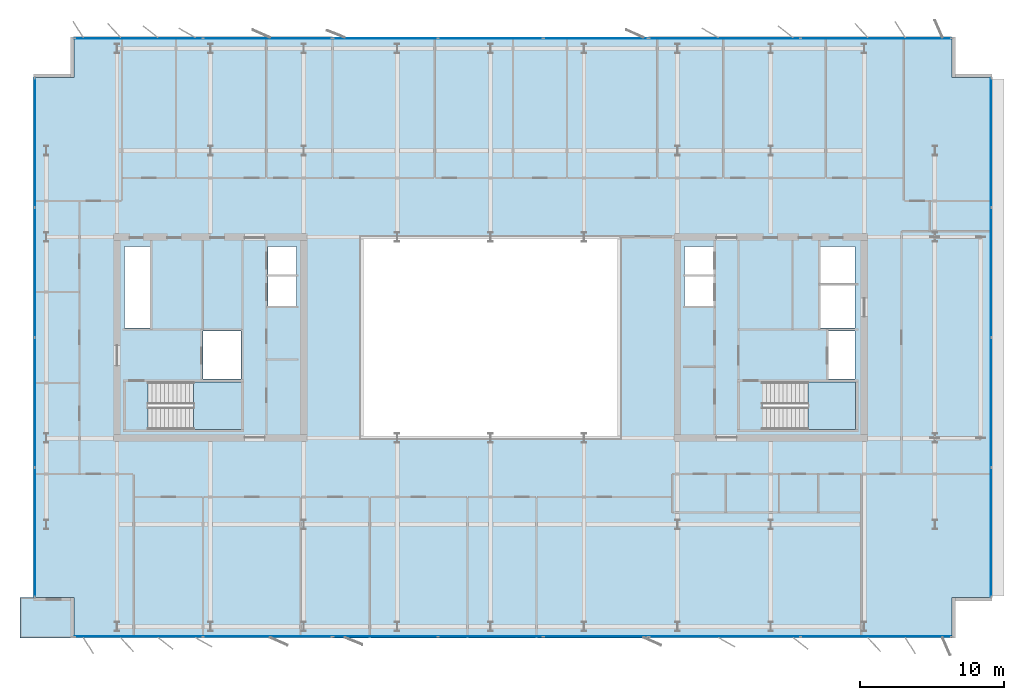
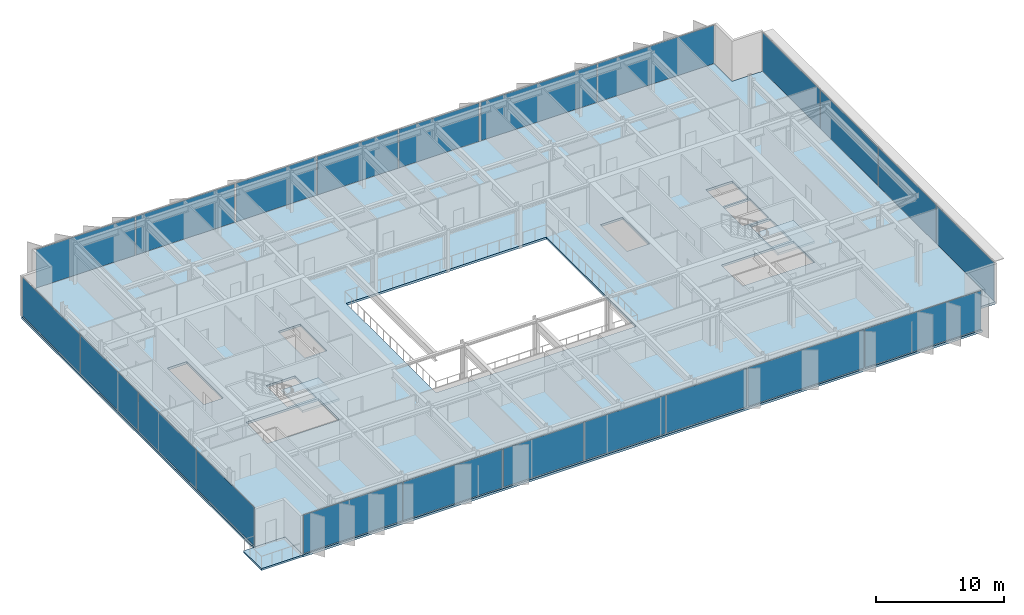
# One storey, part 11 of 20: 22 plates, 4 slabs, 10 elements without a shape of their own.
"""IFC4 building model written with IfcOpenShell, lengths in metres."""

from ifc_helpers import new_model, si_unit, direction, frame, origin, origin_2d, place, context, subcontext, project, spatial, polyline, rectangle, outline, extrude, material, layer, layer_set, type_object, element, aggregate, save


model = new_model("IFC4")

# Units and contexts
model_context = context("Model", 3, precision=1e-05, world=origin(), true_north=direction((0.0, 1.0)))
body_context = subcontext(model_context, "Body", "Model", "MODEL_VIEW")
ifc_project = project(units=[si_unit("LENGTHUNIT", "METRE"), si_unit("AREAUNIT", "SQUARE_METRE"), si_unit("VOLUMEUNIT", "CUBIC_METRE"), si_unit("PLANEANGLEUNIT", "RADIAN"), si_unit("MASSUNIT", "GRAM", prefix="KILO")], contexts=[model_context])

# Site, building, storey
site_placement = place(None, origin())
site = spatial("IfcSite", under=ifc_project, at=site_placement, CompositionType="ELEMENT")
building_placement = place(site_placement, origin())
building = spatial("IfcBuilding", under=site, at=building_placement, Name="Putna Gate Headquarters", CompositionType="ELEMENT")
storey_placement = place(building_placement, frame((0.0, 0.0, 298.39990234375)))
storey = spatial("IfcBuildingStorey", under=building, at=storey_placement, Name="L75", CompositionType="ELEMENT", Elevation=298.39990234375)

# Stair, slab
ifc_material_1 = material(Name="Concrete C40/50", Category="concrete")
stair_type_1 = type_object("IfcStairType", Name="STAIR-ST1", PredefinedType="HALF_TURN_STAIR", material=ifc_material_1)
stair_1_placement = place(storey_placement, origin())
stair_1 = element("IfcStair", 1, at=stair_1_placement, inside=storey, type_object=stair_type_1, Name="L75 West Core Exit Stair ST1", PredefinedType="HALF_TURN_STAIR")
ifc_layer_1 = layer(ifc_material_1, 0.199951171875)
ifc_layer_set_1 = layer_set([ifc_layer_1], Name="Concrete C40/50")
slab_type_1 = type_object("IfcSlabType", Name="LANDING-ST1", PredefinedType="LANDING", material=ifc_layer_set_1)
slab_1_placement = place(storey_placement, frame((0.0, 0.0, 1.800048828125)))
slab_1 = element("IfcSlab", 2, at=slab_1_placement, type_object=slab_type_1, Name="ST1 landing 1", PredefinedType="LANDING", context=body_context, shape_type="SweptSolid", body=[
    extrude(outline(polyline([(18.340087890625, 19.60009765625), (21.64990234375, 19.60009765625), (21.64990234375, 22.89990234375), (18.340087890625, 22.89990234375), (18.340087890625, 19.60009765625)])), origin(), (0.0, 0.0, 1.0), 0.199951171875),
])
aggregate(stair_1, [slab_1])

stair_type_2 = type_object("IfcStairType", Name="STAIR-ST2", PredefinedType="HALF_TURN_STAIR", material=ifc_material_1)
stair_2_placement = place(storey_placement, origin())
stair_2 = element("IfcStair", 3, at=stair_2_placement, inside=storey, type_object=stair_type_2, Name="L75 East Core Exit Stair ST2", PredefinedType="HALF_TURN_STAIR")
ifc_layer_2 = layer(ifc_material_1, 0.199951171875)
ifc_layer_set_2 = layer_set([ifc_layer_2], Name="Concrete C40/50")
slab_type_2 = type_object("IfcSlabType", Name="LANDING-ST2", PredefinedType="LANDING", material=ifc_layer_set_2)
slab_2_placement = place(storey_placement, frame((0.0, 0.0, 1.800048828125)))
slab_2 = element("IfcSlab", 4, at=slab_2_placement, type_object=slab_type_2, Name="ST2 landing 1", PredefinedType="LANDING", context=body_context, shape_type="SweptSolid", body=[
    extrude(outline(polyline([(61.090087890625, 19.60009765625), (64.39990234375, 19.60009765625), (64.39990234375, 22.89990234375), (61.090087890625, 22.89990234375), (61.090087890625, 19.60009765625)])), origin(), (0.0, 0.0, 1.0), 0.199951171875),
])
aggregate(stair_2, [slab_2])

# Curtain wall, plates
ifc_material_2 = material(Name="Anodised bronze aluminium curtain wall", Category="aluminium")
ifc_layer_3 = layer(ifc_material_2, 0.179931640625)
ifc_layer_set_3 = layer_set([ifc_layer_3], Name="Anodised bronze aluminium curtain wall")
curtain_wall_type_1 = type_object("IfcCurtainWallType", Name="CW-SYS-Z5", PredefinedType="USERDEFINED", material=ifc_layer_set_3)
curtain_wall_1_placement = place(storey_placement, origin())
curtain_wall_1 = element("IfcCurtainWall", 5, at=curtain_wall_1_placement, inside=storey, type_object=curtain_wall_type_1, Name="L75 South West Curtain Wall", ObjectType="STICK CURTAIN WALL", PredefinedType="USERDEFINED")
ifc_material_3 = material(Name="Solar-control triple low-E glass", Category="glass")
ifc_layer_4 = layer(ifc_material_3, 0.033935546875)
ifc_layer_set_4 = layer_set([ifc_layer_4], Name="Solar-control triple low-E glass")
plate_type_1 = type_object("IfcPlateType", Name="PAN-CWP-5", PredefinedType="CURTAIN_PANEL", material=ifc_layer_set_4)
plate_1_placement = place(storey_placement, frame((14.517578125, 5.179931640625, 0.06005859375), z_axis=(0.0, 0.0, 1.0), x_axis=(1.0, 0.0, 0.0)))
plate_1 = element("IfcPlate", 6, at=plate_1_placement, type_object=plate_type_1, Name="CWS-5 panel 1.1", PredefinedType="CURTAIN_PANEL", context=body_context, shape_type="SweptSolid", body=[
    extrude(rectangle(XDim=8.89501953125, YDim=0.033935546875, at=origin_2d()), origin(), (0.0, 0.0, 1.0), 3.66796875),
])
plate_2_placement = place(storey_placement, frame((23.482421875, 5.179931640625, 0.06005859375), z_axis=(0.0, 0.0, 1.0), x_axis=(1.0, 0.0, 0.0)))
plate_2 = element("IfcPlate", 7, at=plate_2_placement, type_object=plate_type_1, Name="CWS-5 panel 2.1", PredefinedType="CURTAIN_PANEL", context=body_context, shape_type="SweptSolid", body=[
    extrude(rectangle(XDim=8.89501953125, YDim=0.033935546875, at=origin_2d()), origin(), (0.0, 0.0, 1.0), 3.66796875),
])
aggregate(curtain_wall_1, [plate_1, plate_2])

curtain_wall_2_placement = place(storey_placement, origin())
curtain_wall_2 = element("IfcCurtainWall", 8, at=curtain_wall_2_placement, inside=storey, type_object=curtain_wall_type_1, Name="L75 South East Curtain Wall", ObjectType="STICK CURTAIN WALL", PredefinedType="USERDEFINED")
plate_3_placement = place(storey_placement, frame((55.295166015625, 5.179931640625, 0.06005859375), z_axis=(0.0, 0.0, 1.0), x_axis=(1.0, 0.0, 0.0)))
plate_3 = element("IfcPlate", 9, at=plate_3_placement, type_object=plate_type_1, Name="CWS-5 panel 1.1", PredefinedType="CURTAIN_PANEL", context=body_context, shape_type="SweptSolid", body=[
    extrude(rectangle(XDim=10.450439453125, YDim=0.033935546875, at=origin_2d()), origin(), (0.0, 0.0, 1.0), 3.66796875),
])
plate_4_placement = place(storey_placement, frame((65.815673828125, 5.179931640625, 0.06005859375), z_axis=(0.0, 0.0, 1.0), x_axis=(1.0, 0.0, 0.0)))
plate_4 = element("IfcPlate", 10, at=plate_4_placement, type_object=plate_type_1, Name="CWS-5 panel 2.1", PredefinedType="CURTAIN_PANEL", context=body_context, shape_type="SweptSolid", body=[
    extrude(rectangle(XDim=10.450439453125, YDim=0.033935546875, at=origin_2d()), origin(), (0.0, 0.0, 1.0), 3.66796875),
])
aggregate(curtain_wall_2, [plate_3, plate_4])

curtain_wall_3_placement = place(storey_placement, origin())
curtain_wall_3 = element("IfcCurtainWall", 11, at=curtain_wall_3_placement, inside=storey, type_object=curtain_wall_type_1, Name="L75 North West Curtain Wall", ObjectType="STICK CURTAIN WALL", PredefinedType="USERDEFINED")
plate_5_placement = place(storey_placement, frame((14.517578125, 46.820068359375, 0.06005859375), z_axis=(0.0, 0.0, 1.0), x_axis=(1.0, 0.0, 0.0)))
plate_5 = element("IfcPlate", 12, at=plate_5_placement, type_object=plate_type_1, Name="CWS-5 panel 1.1", PredefinedType="CURTAIN_PANEL", context=body_context, shape_type="SweptSolid", body=[
    extrude(rectangle(XDim=8.89501953125, YDim=0.033935546875, at=origin_2d()), origin(), (0.0, 0.0, 1.0), 3.66796875),
])
plate_6_placement = place(storey_placement, frame((23.482421875, 46.820068359375, 0.06005859375), z_axis=(0.0, 0.0, 1.0), x_axis=(1.0, 0.0, 0.0)))
plate_6 = element("IfcPlate", 13, at=plate_6_placement, type_object=plate_type_1, Name="CWS-5 panel 2.1", PredefinedType="CURTAIN_PANEL", context=body_context, shape_type="SweptSolid", body=[
    extrude(rectangle(XDim=8.89501953125, YDim=0.033935546875, at=origin_2d()), origin(), (0.0, 0.0, 1.0), 3.66796875),
])
aggregate(curtain_wall_3, [plate_5, plate_6])

curtain_wall_4_placement = place(storey_placement, origin())
curtain_wall_4 = element("IfcCurtainWall", 14, at=curtain_wall_4_placement, inside=storey, type_object=curtain_wall_type_1, Name="L75 North East Curtain Wall", ObjectType="STICK CURTAIN WALL", PredefinedType="USERDEFINED")
plate_7_placement = place(storey_placement, frame((55.295166015625, 46.820068359375, 0.06005859375), z_axis=(0.0, 0.0, 1.0), x_axis=(1.0, 0.0, 0.0)))
plate_7 = element("IfcPlate", 15, at=plate_7_placement, type_object=plate_type_1, Name="CWS-5 panel 1.1", PredefinedType="CURTAIN_PANEL", context=body_context, shape_type="SweptSolid", body=[
    extrude(rectangle(XDim=10.450439453125, YDim=0.033935546875, at=origin_2d()), origin(), (0.0, 0.0, 1.0), 3.66796875),
])
plate_8_placement = place(storey_placement, frame((65.815673828125, 46.820068359375, 0.06005859375), z_axis=(0.0, 0.0, 1.0), x_axis=(1.0, 0.0, 0.0)))
plate_8 = element("IfcPlate", 16, at=plate_8_placement, type_object=plate_type_1, Name="CWS-5 panel 2.1", PredefinedType="CURTAIN_PANEL", context=body_context, shape_type="SweptSolid", body=[
    extrude(rectangle(XDim=10.450439453125, YDim=0.033935546875, at=origin_2d()), origin(), (0.0, 0.0, 1.0), 3.66796875),
])
aggregate(curtain_wall_4, [plate_7, plate_8])

curtain_wall_5_placement = place(storey_placement, origin())
curtain_wall_5 = element("IfcCurtainWall", 17, at=curtain_wall_5_placement, inside=storey, type_object=curtain_wall_type_1, Name="L75 West Curtain Wall", ObjectType="STICK CURTAIN WALL", PredefinedType="USERDEFINED")
plate_9_placement = place(storey_placement, frame((7.280029296875, 12.4423828125, 0.06005859375), z_axis=(0.0, 0.0, 1.0), x_axis=(0.0, 1.0, 0.0)))
plate_9 = element("IfcPlate", 18, at=plate_9_placement, type_object=plate_type_1, Name="CWS-5 panel 1.1", PredefinedType="CURTAIN_PANEL", context=body_context, shape_type="SweptSolid", body=[
    extrude(rectangle(XDim=8.945068359375, YDim=0.033935546875, at=origin_2d()), origin(), (0.0, 0.0, 1.0), 3.66796875),
])
plate_10_placement = place(storey_placement, frame((7.280029296875, 21.47509765625, 0.06005859375), z_axis=(0.0, 0.0, 1.0), x_axis=(0.0, 1.0, 0.0)))
plate_10 = element("IfcPlate", 19, at=plate_10_placement, type_object=plate_type_1, Name="CWS-5 panel 2.1", PredefinedType="CURTAIN_PANEL", context=body_context, shape_type="SweptSolid", body=[
    extrude(rectangle(XDim=8.97998046875, YDim=0.033935546875, at=origin_2d()), origin(), (0.0, 0.0, 1.0), 3.66796875),
])
plate_11_placement = place(storey_placement, frame((7.280029296875, 30.52490234375, 0.06005859375), z_axis=(0.0, 0.0, 1.0), x_axis=(0.0, 1.0, 0.0)))
plate_11 = element("IfcPlate", 20, at=plate_11_placement, type_object=plate_type_1, Name="CWS-5 panel 3.1", PredefinedType="CURTAIN_PANEL", context=body_context, shape_type="SweptSolid", body=[
    extrude(rectangle(XDim=8.97998046875, YDim=0.033935546875, at=origin_2d()), origin(), (0.0, 0.0, 1.0), 3.66796875),
])
plate_12_placement = place(storey_placement, frame((7.280029296875, 39.5576171875, 0.06005859375), z_axis=(0.0, 0.0, 1.0), x_axis=(0.0, 1.0, 0.0)))
plate_12 = element("IfcPlate", 21, at=plate_12_placement, type_object=plate_type_1, Name="CWS-5 panel 4.1", PredefinedType="CURTAIN_PANEL", context=body_context, shape_type="SweptSolid", body=[
    extrude(rectangle(XDim=8.945068359375, YDim=0.033935546875, at=origin_2d()), origin(), (0.0, 0.0, 1.0), 3.66796875),
])
aggregate(curtain_wall_5, [plate_9, plate_10, plate_11, plate_12])

curtain_wall_6_placement = place(storey_placement, origin())
curtain_wall_6 = element("IfcCurtainWall", 22, at=curtain_wall_6_placement, inside=storey, type_object=curtain_wall_type_1, Name="L75 East Curtain Wall", ObjectType="STICK CURTAIN WALL", PredefinedType="USERDEFINED")
plate_13_placement = place(storey_placement, frame((73.8310546875, 12.4423828125, 0.06005859375), z_axis=(0.0, 0.0, 1.0), x_axis=(0.0, 1.0, 0.0)))
plate_13 = element("IfcPlate", 23, at=plate_13_placement, type_object=plate_type_1, Name="CWS-5 panel 1.1", PredefinedType="CURTAIN_PANEL", context=body_context, shape_type="SweptSolid", body=[
    extrude(rectangle(XDim=8.945068359375, YDim=0.033935546875, at=origin_2d()), origin(), (0.0, 0.0, 1.0), 3.66796875),
])
plate_14_placement = place(storey_placement, frame((73.8310546875, 21.47509765625, 0.06005859375), z_axis=(0.0, 0.0, 1.0), x_axis=(0.0, 1.0, 0.0)))
plate_14 = element("IfcPlate", 24, at=plate_14_placement, type_object=plate_type_1, Name="CWS-5 panel 2.1", PredefinedType="CURTAIN_PANEL", context=body_context, shape_type="SweptSolid", body=[
    extrude(rectangle(XDim=8.97998046875, YDim=0.033935546875, at=origin_2d()), origin(), (0.0, 0.0, 1.0), 3.66796875),
])
plate_15_placement = place(storey_placement, frame((73.8310546875, 30.52490234375, 0.06005859375), z_axis=(0.0, 0.0, 1.0), x_axis=(0.0, 1.0, 0.0)))
plate_15 = element("IfcPlate", 25, at=plate_15_placement, type_object=plate_type_1, Name="CWS-5 panel 3.1", PredefinedType="CURTAIN_PANEL", context=body_context, shape_type="SweptSolid", body=[
    extrude(rectangle(XDim=8.97998046875, YDim=0.033935546875, at=origin_2d()), origin(), (0.0, 0.0, 1.0), 3.66796875),
])
plate_16_placement = place(storey_placement, frame((73.8310546875, 39.5576171875, 0.06005859375), z_axis=(0.0, 0.0, 1.0), x_axis=(0.0, 1.0, 0.0)))
plate_16 = element("IfcPlate", 26, at=plate_16_placement, type_object=plate_type_1, Name="CWS-5 panel 4.1", PredefinedType="CURTAIN_PANEL", context=body_context, shape_type="SweptSolid", body=[
    extrude(rectangle(XDim=8.945068359375, YDim=0.033935546875, at=origin_2d()), origin(), (0.0, 0.0, 1.0), 3.66796875),
])
aggregate(curtain_wall_6, [plate_13, plate_14, plate_15, plate_16])

ifc_layer_5 = layer(ifc_material_2, 0.179931640625)
ifc_layer_set_5 = layer_set([ifc_layer_5], Name="Anodised bronze aluminium curtain wall")
curtain_wall_type_2 = type_object("IfcCurtainWallType", Name="CW-SYS-ATR", PredefinedType="USERDEFINED", material=ifc_layer_set_5)
curtain_wall_7_placement = place(storey_placement, origin())
curtain_wall_7 = element("IfcCurtainWall", 27, at=curtain_wall_7_placement, inside=storey, type_object=curtain_wall_type_2, Name="L75 South Atrium Clear Glazing", ObjectType="ATRIUM GLAZING", PredefinedType="USERDEFINED")
ifc_material_4 = material(Name="Clear low-iron triple glazing", Category="glass")
ifc_layer_6 = layer(ifc_material_4, 0.0400390625)
ifc_layer_set_6 = layer_set([ifc_layer_6], Name="Clear low-iron triple glazing")
plate_type_2 = type_object("IfcPlateType", Name="PAN-CWP-AT", PredefinedType="CURTAIN_PANEL", material=ifc_layer_set_6)
plate_17_placement = place(storey_placement, frame((31.68408203125, 5.179931640625, 0.070068359375), z_axis=(0.0, 0.0, 1.0), x_axis=(1.0, 0.0, 0.0)))
plate_17 = element("IfcPlate", 28, at=plate_17_placement, type_object=plate_type_2, Name="CWS-AT panel 1.1", PredefinedType="CURTAIN_PANEL", context=body_context, shape_type="SweptSolid", body=[
    extrude(rectangle(XDim=7.228271484375, YDim=0.0400390625, at=origin_2d()), origin(), (0.0, 0.0, 1.0), 3.64794921875),
])
plate_18_placement = place(storey_placement, frame((39.0, 5.179931640625, 0.070068359375), z_axis=(0.0, 0.0, 1.0), x_axis=(1.0, 0.0, 0.0)))
plate_18 = element("IfcPlate", 29, at=plate_18_placement, type_object=plate_type_2, Name="CWS-AT panel 2.1", PredefinedType="CURTAIN_PANEL", context=body_context, shape_type="SweptSolid", body=[
    extrude(rectangle(XDim=7.263427734375, YDim=0.0400390625, at=origin_2d()), origin(), (0.0, 0.0, 1.0), 3.64794921875),
])
plate_19_placement = place(storey_placement, frame((46.31591796875, 5.179931640625, 0.070068359375), z_axis=(0.0, 0.0, 1.0), x_axis=(1.0, 0.0, 0.0)))
plate_19 = element("IfcPlate", 30, at=plate_19_placement, type_object=plate_type_2, Name="CWS-AT panel 3.1", PredefinedType="CURTAIN_PANEL", context=body_context, shape_type="SweptSolid", body=[
    extrude(rectangle(XDim=7.228271484375, YDim=0.0400390625, at=origin_2d()), origin(), (0.0, 0.0, 1.0), 3.64794921875),
])
aggregate(curtain_wall_7, [plate_17, plate_18, plate_19])

curtain_wall_8_placement = place(storey_placement, origin())
curtain_wall_8 = element("IfcCurtainWall", 31, at=curtain_wall_8_placement, inside=storey, type_object=curtain_wall_type_2, Name="L75 North Atrium Clear Glazing", ObjectType="ATRIUM GLAZING", PredefinedType="USERDEFINED")
plate_20_placement = place(storey_placement, frame((31.68408203125, 46.820068359375, 0.070068359375), z_axis=(0.0, 0.0, 1.0), x_axis=(1.0, 0.0, 0.0)))
plate_20 = element("IfcPlate", 32, at=plate_20_placement, type_object=plate_type_2, Name="CWS-AT panel 1.1", PredefinedType="CURTAIN_PANEL", context=body_context, shape_type="SweptSolid", body=[
    extrude(rectangle(XDim=7.228271484375, YDim=0.0400390625, at=origin_2d()), origin(), (0.0, 0.0, 1.0), 3.64794921875),
])
plate_21_placement = place(storey_placement, frame((39.0, 46.820068359375, 0.070068359375), z_axis=(0.0, 0.0, 1.0), x_axis=(1.0, 0.0, 0.0)))
plate_21 = element("IfcPlate", 33, at=plate_21_placement, type_object=plate_type_2, Name="CWS-AT panel 2.1", PredefinedType="CURTAIN_PANEL", context=body_context, shape_type="SweptSolid", body=[
    extrude(rectangle(XDim=7.263427734375, YDim=0.0400390625, at=origin_2d()), origin(), (0.0, 0.0, 1.0), 3.64794921875),
])
plate_22_placement = place(storey_placement, frame((46.31591796875, 46.820068359375, 0.070068359375), z_axis=(0.0, 0.0, 1.0), x_axis=(1.0, 0.0, 0.0)))
plate_22 = element("IfcPlate", 34, at=plate_22_placement, type_object=plate_type_2, Name="CWS-AT panel 3.1", PredefinedType="CURTAIN_PANEL", context=body_context, shape_type="SweptSolid", body=[
    extrude(rectangle(XDim=7.228271484375, YDim=0.0400390625, at=origin_2d()), origin(), (0.0, 0.0, 1.0), 3.64794921875),
])
aggregate(curtain_wall_8, [plate_20, plate_21, plate_22])

# Slabs
ifc_layer_7 = layer(ifc_material_1, 0.179931640625)
ifc_layer_set_7 = layer_set([ifc_layer_7], Name="Concrete C40/50")
slab_type_3 = type_object("IfcSlabType", Name="SLAB-TERRACE-180", PredefinedType="FLOOR", material=ifc_layer_set_7)
slab_3_placement = place(storey_placement, frame((0.0, 0.0, -0.179931640625)))
element("IfcSlab", 35, at=slab_3_placement, inside=storey, type_object=slab_type_3, Name="L75 Spiral Sky-Garden Terrace Slab (SW)", PredefinedType="FLOOR", context=body_context, shape_type="SweptSolid", body=[
    extrude(outline(polyline([(6.25, 5.10009765625), (10.008056640625, 5.10009765625), (10.008056640625, 7.907958984375), (6.25, 7.907958984375), (6.25, 5.10009765625)])), origin(), (0.0, 0.0, 1.0), 0.179931640625),
])
ifc_layer_8 = layer(ifc_material_1, 0.2119140625)
ifc_layer_set_8 = layer_set([ifc_layer_8], Name="Concrete C40/50")
slab_type_4 = type_object("IfcSlabType", Name="SLAB-Z5-212", PredefinedType="FLOOR", material=ifc_layer_set_8)
slab_4_placement = place(storey_placement, frame((0.0, 0.0, -0.2119140625)))
element("IfcSlab", 36, at=slab_4_placement, inside=storey, type_object=slab_type_4, Name="L75 Composite Floor Slab", PredefinedType="FLOOR", context=body_context, shape_type="SweptSolid", body=[
    extrude(outline(polyline([(10.0, 5.10009765625), (71.111083984375, 5.10009765625), (71.111083984375, 7.89990234375), (73.910888671875, 7.89990234375), (73.910888671875, 44.10009765625), (71.111083984375, 44.10009765625), (71.111083984375, 46.89990234375), (10.0, 46.89990234375), (10.0, 44.10009765625), (7.199951171875, 44.10009765625), (7.199951171875, 7.89990234375), (10.0, 7.89990234375), (10.0, 5.10009765625)]), holes=[polyline([(15.1650390625, 19.60009765625), (21.64990234375, 19.60009765625), (21.64990234375, 22.89990234375), (15.1650390625, 22.89990234375), (15.1650390625, 19.60009765625)]), polyline([(57.9150390625, 19.60009765625), (64.39990234375, 19.60009765625), (64.39990234375, 22.89990234375), (57.9150390625, 22.89990234375), (57.9150390625, 19.60009765625)]), polyline([(13.52001953125, 26.659912109375), (15.280029296875, 26.659912109375), (15.280029296875, 32.35009765625), (13.52001953125, 32.35009765625), (13.52001953125, 26.659912109375)]), polyline([(61.969970703125, 29.780029296875), (64.35009765625, 29.780029296875), (64.35009765625, 32.35009765625), (61.969970703125, 32.35009765625), (61.969970703125, 29.780029296875)]), polyline([(18.97998046875, 23.1201171875), (21.6201171875, 23.1201171875), (21.6201171875, 26.4599609375), (18.97998046875, 26.4599609375), (18.97998046875, 23.1201171875)]), polyline([(62.52001953125, 23.1201171875), (64.35009765625, 23.1201171875), (64.35009765625, 26.4599609375), (62.52001953125, 26.4599609375), (62.52001953125, 23.1201171875)]), polyline([(61.969970703125, 26.659912109375), (64.35009765625, 26.659912109375), (64.35009765625, 29.6201171875), (61.969970703125, 29.6201171875), (61.969970703125, 26.659912109375)]), polyline([(23.5, 28.199951171875), (25.5, 28.199951171875), (25.5, 32.35009765625), (23.5, 32.35009765625), (23.5, 28.199951171875)]), polyline([(52.47998046875, 28.199951171875), (54.5, 28.199951171875), (54.5, 32.35009765625), (52.47998046875, 32.35009765625), (52.47998046875, 28.199951171875)]), polyline([(30.0, 19.0), (48.0, 19.0), (48.0, 33.0), (30.0, 33.0), (30.0, 19.0)])]), origin(), (0.0, 0.0, 1.0), 0.2119140625),
])

save(model, "model.ifc")
